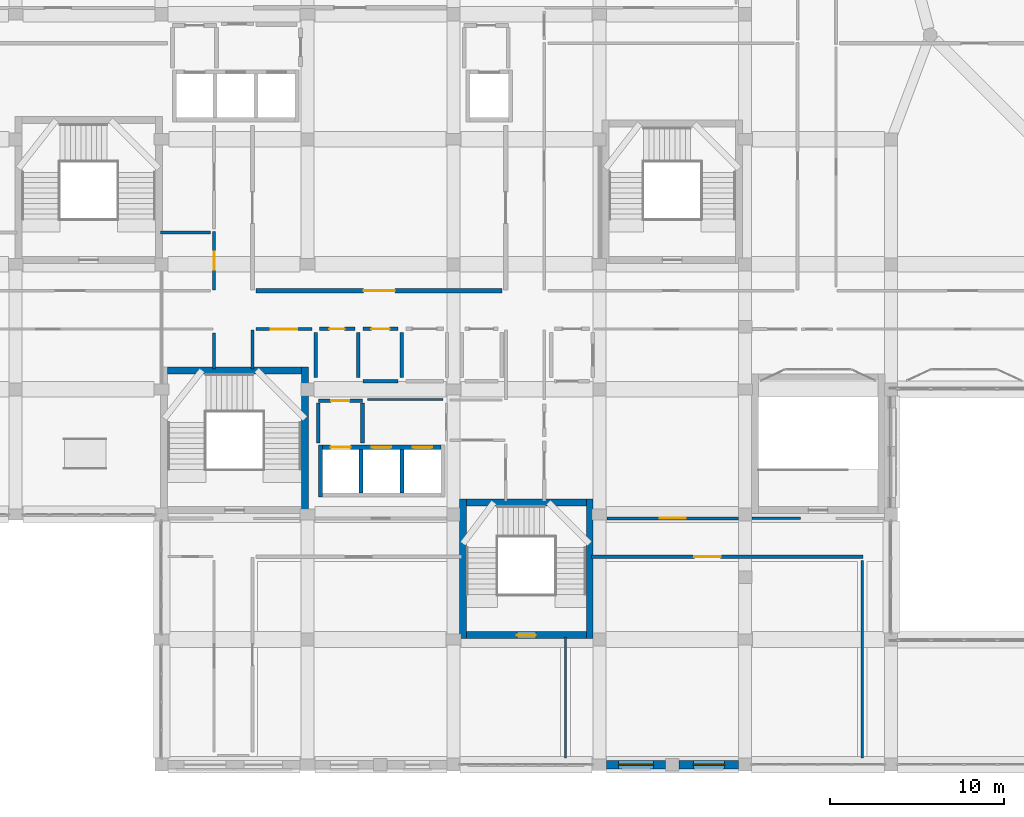
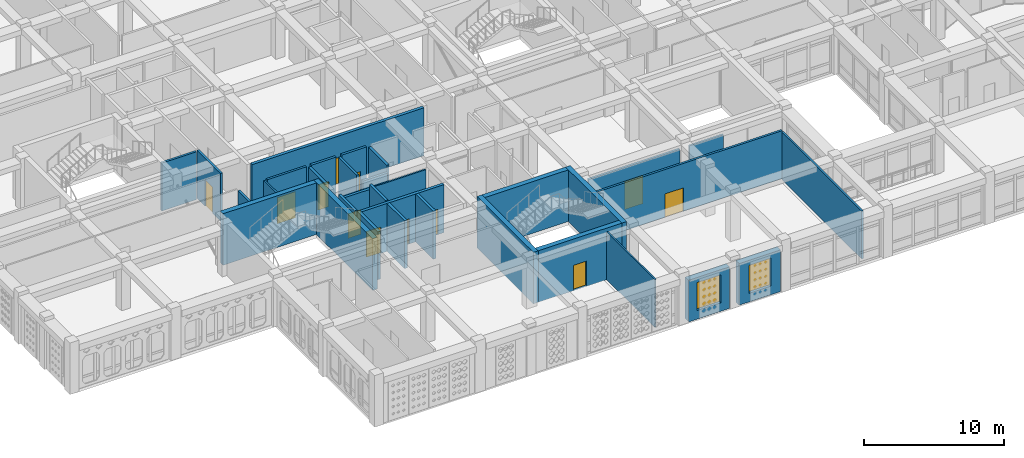
# One storey, part 72 of 121: 33 walls, 12 doors, 2 windows, 14 openings.
"""IFC4 building model written with IfcOpenShell, lengths in metres."""

from ifc_helpers import new_model, si_unit, derived_unit, direction, frame, frame_2d, origin, place, context, subcontext, project, spatial, rectangle, extrude, material, layer, layer_set, type_object, element, fill, save


model = new_model("IFC4")

# Units and contexts
model_context = context("Model", 3, precision=1e-05, world=origin(), true_north=direction((0.0, 1.0)))
body_context = subcontext(model_context, "Body", "Model", "MODEL_VIEW")
ifc_project = project(units=[si_unit("LENGTHUNIT", "METRE"), si_unit("AREAUNIT", "SQUARE_METRE"), si_unit("VOLUMEUNIT", "CUBIC_METRE"), si_unit("PLANEANGLEUNIT", "RADIAN"), si_unit("MASSUNIT", "GRAM", prefix="KILO"), derived_unit("THERMALTRANSMITTANCEUNIT", [(si_unit("POWERUNIT", "WATT"), 1), (si_unit("LENGTHUNIT", "METRE"), -2), (si_unit("THERMODYNAMICTEMPERATUREUNIT", "KELVIN"), -1)])], contexts=[model_context])

# Site, building, storey
site_placement = place(None, origin())
site = spatial("IfcSite", under=ifc_project, at=site_placement, CompositionType="ELEMENT")
building_placement = place(site_placement, origin())
building = spatial("IfcBuilding", under=site, at=building_placement, Name="Veybourne Emporium", CompositionType="ELEMENT")
storey_placement = place(building_placement, frame((0.0, 0.0, 5.39990234375)))
storey = spatial("IfcBuildingStorey", under=building, at=storey_placement, Name="L01", CompositionType="ELEMENT", Elevation=5.39990234375)

# Wall, opening, window
ifc_material_1 = material(Name="Portland Limestone Ashlar", Category="masonry")
ifc_layer_1 = layer(ifc_material_1, 0.47998046875)
ifc_layer_set_1 = layer_set([ifc_layer_1], Name="Portland Limestone Ashlar")
wall_type_1 = type_object("IfcWallType", Name="ExtWall_EW-01", PredefinedType="SOLIDWALL", material=ifc_layer_set_1)
wall_1_placement = place(storey_placement, frame((50.02490234375, 0.0, 0.0), z_axis=(0.0, 0.0, 1.0), x_axis=(-1.0, 0.0, 0.0)))
wall_1 = element("IfcWall", 1, at=wall_1_placement, inside=storey, type_object=wall_type_1, Name="L01 Portland stone external wall 026A", PredefinedType="SOLIDWALL", context=body_context, shape_type="SweptSolid", body=[
    extrude(rectangle(XDim=3.4248046875, YDim=0.47998046875, at=frame_2d((1.71240234375, 0.0))), origin(), (0.0, 0.0, 1.0), 3.630126953125),
])
opening_1_placement = place(wall_1_placement, frame((0.8125, 0.0, 0.75)))
opening_1 = element("IfcOpeningElement", 2, at=opening_1_placement, cuts=wall_1, Name="Opening W-28", PredefinedType="OPENING", context=body_context, shape_type="SweptSolid", body=[
    extrude(rectangle(XDim=1.800048828125, YDim=2.43994140625, at=frame_2d((0.89990234375, 1.219970703125))), frame((0.0, 0.260009765625, 0.0), z_axis=(0.0, -1.0, 0.0), x_axis=(1.0, 0.0, 0.0)), (0.0, 0.0, 1.0), 0.52001953125),
])
ifc_material_2 = material(Name="Low-E Triple Glazing", Category="glass")
window_type_1 = type_object("IfcWindowType", Name="Win_W-28", PartitioningType="DOUBLE_PANEL_VERTICAL", PredefinedType="WINDOW", material=ifc_material_2)
window_1_placement = place(opening_1_placement, origin())
window_1 = element("IfcWindow", 3, at=window_1_placement, inside=storey, type_object=window_type_1, Name="L01 tripartite bronze casement window W-28 (26A)", OverallHeight=2.43994140625, OverallWidth=1.800048828125, PartitioningType="DOUBLE_PANEL_VERTICAL", PredefinedType="WINDOW", context=body_context, shape_type="SweptSolid", body=[
    extrude(rectangle(XDim=1.800048828125, YDim=2.43994140625, at=frame_2d((0.89990234375, 1.219970703125))), frame((0.0, 0.030029296875, 0.0), z_axis=(0.0, -1.0, 0.0), x_axis=(1.0, 0.0, 0.0)), (0.0, 0.0, 1.0), 0.06005859375),
])
fill(opening_1, window_1)

wall_2_placement = place(storey_placement, frame((45.800048828125, 0.0, 0.0), z_axis=(0.0, 0.0, 1.0), x_axis=(-1.0, 0.0, 0.0)))
wall_2 = element("IfcWall", 4, at=wall_2_placement, inside=storey, type_object=wall_type_1, Name="L01 Portland stone external wall 026B", PredefinedType="SOLIDWALL", context=body_context, shape_type="SweptSolid", body=[
    extrude(rectangle(XDim=3.375, YDim=0.47998046875, at=frame_2d((1.6875, 0.0))), origin(), (0.0, 0.0, 1.0), 3.630126953125),
])
opening_2_placement = place(wall_2_placement, frame((0.6875, 0.0, 0.75)))
opening_2 = element("IfcOpeningElement", 5, at=opening_2_placement, cuts=wall_2, Name="Opening W-29", PredefinedType="OPENING", context=body_context, shape_type="SweptSolid", body=[
    extrude(rectangle(XDim=2.0, YDim=2.43994140625, at=frame_2d((1.0, 1.219970703125))), frame((0.0, 0.260009765625, 0.0), z_axis=(0.0, -1.0, 0.0), x_axis=(1.0, 0.0, 0.0)), (0.0, 0.0, 1.0), 0.52001953125),
])
window_type_2 = type_object("IfcWindowType", Name="Win_W-29", PartitioningType="TRIPLE_PANEL_VERTICAL", PredefinedType="WINDOW", material=ifc_material_2)
window_2_placement = place(opening_2_placement, origin())
window_2 = element("IfcWindow", 6, at=window_2_placement, inside=storey, type_object=window_type_2, Name="L01 tripartite bronze casement window W-29 (26B)", OverallHeight=2.43994140625, OverallWidth=2.0, PartitioningType="TRIPLE_PANEL_VERTICAL", PredefinedType="WINDOW", context=body_context, shape_type="SweptSolid", body=[
    extrude(rectangle(XDim=2.0, YDim=2.43994140625, at=frame_2d((1.0, 1.219970703125))), frame((0.0, 0.030029296875, 0.0), z_axis=(0.0, -1.0, 0.0), x_axis=(1.0, 0.0, 0.0)), (0.0, 0.0, 1.0), 0.06005859375),
])
fill(opening_2, window_2)

# Walls
ifc_material_3 = material(Name="Concrete C40/50", Category="concrete")
ifc_layer_2 = layer(ifc_material_3, 0.39990234375)
ifc_layer_set_2 = layer_set([ifc_layer_2], Name="Concrete C40/50")
wall_type_2 = type_object("IfcWallType", Name="IntWall_CW-01", PredefinedType="SHEAR", material=ifc_layer_set_2)
wall_3_placement = place(storey_placement, frame((17.14990234375, 22.699951171875, 0.0), z_axis=(0.0, 0.0, 1.0), x_axis=(1.0, 0.0, 0.0)))
element("IfcWall", 7, at=wall_3_placement, inside=storey, type_object=wall_type_2, Name="Core stair ST-01 north shear wall (L01)", PredefinedType="SHEAR", context=body_context, shape_type="SweptSolid", body=[
    extrude(rectangle(XDim=7.7001953125, YDim=0.39990234375, at=frame_2d((3.85009765625, 0.0))), origin(), (0.0, 0.0, 1.0), 4.5),
])
wall_4_placement = place(storey_placement, frame((25.050048828125, 14.449951171875, 0.0), z_axis=(0.0, 0.0, 1.0), x_axis=(0.0, 1.0, 0.0)))
element("IfcWall", 8, at=wall_4_placement, inside=storey, type_object=wall_type_2, Name="Core stair ST-01 east shear wall (L01)", PredefinedType="SHEAR", context=body_context, shape_type="SweptSolid", body=[
    extrude(rectangle(XDim=8.449951171875, YDim=0.39990234375, at=frame_2d((4.22509765625, 0.0))), origin(), (0.0, 0.0, 1.0), 4.5),
])

# Wall, opening, door
wall_5_placement = place(storey_placement, frame((41.25, 7.449951171875, 0.0), z_axis=(0.0, 0.0, 1.0), x_axis=(-1.0, 0.0, 0.0)))
wall_5 = element("IfcWall", 9, at=wall_5_placement, inside=storey, type_object=wall_type_2, Name="Core stair ST-12 south shear wall (L01)", PredefinedType="SHEAR", context=body_context, shape_type="SweptSolid", body=[
    extrude(rectangle(XDim=6.89990234375, YDim=0.39990234375, at=frame_2d((3.449951171875, 0.0))), origin(), (0.0, 0.0, 1.0), 4.5),
])
opening_3_placement = place(wall_5_placement, frame((2.89990234375, 0.0, 0.0)))
opening_3 = element("IfcOpeningElement", 10, at=opening_3_placement, cuts=wall_5, Name="Opening FD-01", PredefinedType="OPENING", context=body_context, shape_type="SweptSolid", body=[
    extrude(rectangle(XDim=1.10009765625, YDim=2.199951171875, at=frame_2d((0.550048828125, 1.10009765625))), frame((0.0, 0.219970703125, 0.0), z_axis=(0.0, -1.0, 0.0), x_axis=(1.0, 0.0, 0.0)), (0.0, 0.0, 1.0), 0.43994140625),
])
ifc_material_4 = material(Name="Patinated Architectural Bronze", Category="bronze")
door_type_1 = type_object("IfcDoorType", Name="FireDoor_FD-01", OperationType="NOTDEFINED", PredefinedType="DOOR", material=ifc_material_4)
door_1_placement = place(opening_3_placement, origin())
door_1 = element("IfcDoor", 11, at=door_1_placement, inside=storey, type_object=door_type_1, Name="Stair ST-12 fire door (L01)", OperationType="SINGLE_SWING_RIGHT", OverallHeight=2.199951171875, OverallWidth=1.10009765625, PredefinedType="DOOR", context=body_context, shape_type="SweptSolid", body=[
    extrude(rectangle(XDim=1.10009765625, YDim=2.199951171875, at=frame_2d((0.550048828125, 1.10009765625))), frame((0.0, 0.02490234375, 0.0), z_axis=(0.0, -1.0, 0.0), x_axis=(1.0, 0.0, 0.0)), (0.0, 0.0, 1.0), 0.050048828125),
])
fill(opening_3, door_1)

# Walls
wall_6_placement = place(storey_placement, frame((34.35009765625, 15.10009765625, 0.0), z_axis=(0.0, 0.0, 1.0), x_axis=(1.0, 0.0, 0.0)))
element("IfcWall", 12, at=wall_6_placement, inside=storey, type_object=wall_type_2, Name="Core stair ST-12 north shear wall (L01)", PredefinedType="SHEAR", context=body_context, shape_type="SweptSolid", body=[
    extrude(rectangle(XDim=6.89990234375, YDim=0.39990234375, at=frame_2d((3.449951171875, 0.0))), origin(), (0.0, 0.0, 1.0), 4.5),
])
for number, where, z_axis, x_axis, name in (
    (13, (34.14990234375, 15.300048828125, 0.0), (0.0, 0.0, 1.0), (0.0, -1.0, 0.0), "Core stair ST-12 west shear wall (L01)"),
    (14, (41.449951171875, 7.25, 0.0), (0.0, 0.0, 1.0), (0.0, 1.0, 0.0), "Core stair ST-12 east shear wall (L01)"),
):
    element("IfcWall", number, at=place(storey_placement, frame(where, z_axis=z_axis, x_axis=x_axis)), inside=storey, type_object=wall_type_2, Name=name, PredefinedType="SHEAR", context=body_context, shape_type="SweptSolid", body=[
        extrude(rectangle(XDim=8.050048828125, YDim=0.39990234375, at=frame_2d((4.02490234375, 0.0))), origin(), (0.0, 0.0, 1.0), 4.5),
    ])

# Wall, openings, doors
ifc_layer_3 = layer(ifc_material_3, 0.239990234375)
ifc_layer_set_3 = layer_set([ifc_layer_3], Name="Concrete C40/50")
wall_type_3 = type_object("IfcWallType", Name="IntWall_CW-04", PredefinedType="SHEAR", material=ifc_layer_set_3)
wall_7_placement = place(storey_placement, frame((32.8798828125, 18.27001953125, 0.0), z_axis=(0.0, 0.0, 1.0), x_axis=(-1.0, 0.0, 0.0)))
wall_7 = element("IfcWall", 15, at=wall_7_placement, inside=storey, type_object=wall_type_3, Name="Lift core C1 north shaft wall (L01)", PredefinedType="SHEAR", context=body_context, shape_type="SweptSolid", body=[
    extrude(rectangle(XDim=6.81982421875, YDim=0.239990234375, at=frame_2d((3.409912109375, 0.0))), origin(), (0.0, 0.0, 1.0), 4.18017578125),
])
opening_4_placement = place(wall_7_placement, frame((5.195068359375, 0.0, 0.0)))
opening_4 = element("IfcOpeningElement", 16, at=opening_4_placement, cuts=wall_7, Name="Opening LD-02", PredefinedType="OPENING", context=body_context, shape_type="SweptSolid", body=[
    extrude(rectangle(XDim=1.14990234375, YDim=2.25, at=frame_2d((0.574951171875, 1.125))), frame((0.0, 0.14013671875, 0.0), z_axis=(0.0, -1.0, 0.0), x_axis=(1.0, 0.0, 0.0)), (0.0, 0.0, 1.0), 0.280029296875),
])
opening_5_placement = place(wall_7_placement, frame((2.8701171875, 0.0, 0.0)))
opening_5 = element("IfcOpeningElement", 17, at=opening_5_placement, cuts=wall_7, Name="Opening LD-01", PredefinedType="OPENING", context=body_context, shape_type="SweptSolid", body=[
    extrude(rectangle(XDim=1.10009765625, YDim=2.199951171875, at=frame_2d((0.550048828125, 1.10009765625))), frame((0.0, 0.14013671875, 0.0), z_axis=(0.0, -1.0, 0.0), x_axis=(1.0, 0.0, 0.0)), (0.0, 0.0, 1.0), 0.280029296875),
])
opening_6_placement = place(wall_7_placement, frame((0.510009765625, 0.0, 0.0)))
opening_6 = element("IfcOpeningElement", 18, at=opening_6_placement, cuts=wall_7, Name="Opening LD-01", PredefinedType="OPENING", context=body_context, shape_type="SweptSolid", body=[
    extrude(rectangle(XDim=1.10009765625, YDim=2.199951171875, at=frame_2d((0.550048828125, 1.10009765625))), frame((0.0, 0.14013671875, 0.0), z_axis=(0.0, -1.0, 0.0), x_axis=(1.0, 0.0, 0.0)), (0.0, 0.0, 1.0), 0.280029296875),
])
door_type_2 = type_object("IfcDoorType", Name="FireDoor_LD-01", OperationType="DOUBLE_DOOR_SLIDING", PredefinedType="DOOR", material=ifc_material_4)
door_2_placement = place(opening_5_placement, origin())
door_2 = element("IfcDoor", 19, at=door_2_placement, inside=storey, type_object=door_type_2, Name="Lift PL-01 sliding landing door (L01)", OperationType="DOUBLE_DOOR_SLIDING", OverallHeight=2.199951171875, OverallWidth=1.10009765625, PredefinedType="DOOR", context=body_context, shape_type="SweptSolid", body=[
    extrude(rectangle(XDim=1.10009765625, YDim=2.199951171875, at=frame_2d((0.550048828125, 1.10009765625))), frame((0.0, 0.02490234375, 0.0), z_axis=(0.0, -1.0, 0.0), x_axis=(1.0, 0.0, 0.0)), (0.0, 0.0, 1.0), 0.050048828125),
])
fill(opening_5, door_2)
door_3_placement = place(opening_6_placement, origin())
door_3 = element("IfcDoor", 20, at=door_3_placement, inside=storey, type_object=door_type_2, Name="Lift PL-02 sliding landing door (L01)", OperationType="DOUBLE_DOOR_SLIDING", OverallHeight=2.199951171875, OverallWidth=1.10009765625, PredefinedType="DOOR", context=body_context, shape_type="SweptSolid", body=[
    extrude(rectangle(XDim=1.10009765625, YDim=2.199951171875, at=frame_2d((0.550048828125, 1.10009765625))), frame((0.0, 0.02490234375, 0.0), z_axis=(0.0, -1.0, 0.0), x_axis=(1.0, 0.0, 0.0)), (0.0, 0.0, 1.0), 0.050048828125),
])
fill(opening_6, door_3)
door_type_3 = type_object("IfcDoorType", Name="FireDoor_LD-02", OperationType="SLIDING_TO_LEFT", PredefinedType="DOOR", material=ifc_material_4)
door_4_placement = place(opening_4_placement, origin())
door_4 = element("IfcDoor", 21, at=door_4_placement, inside=storey, type_object=door_type_3, Name="Lift FFL-01 sliding landing door (L01)", OperationType="SLIDING_TO_LEFT", OverallHeight=2.25, OverallWidth=1.14990234375, PredefinedType="DOOR", context=body_context, shape_type="SweptSolid", body=[
    extrude(rectangle(XDim=1.14990234375, YDim=2.25, at=frame_2d((0.574951171875, 1.125))), frame((0.0, 0.02490234375, 0.0), z_axis=(0.0, -1.0, 0.0), x_axis=(1.0, 0.0, 0.0)), (0.0, 0.0, 1.0), 0.050048828125),
])
fill(opening_4, door_4)

# Walls
wall_8_placement = place(storey_placement, frame((25.93994140625, 18.389892578125, 0.0), z_axis=(0.0, 0.0, 1.0), x_axis=(0.0, -1.0, 0.0)))
element("IfcWall", 22, at=wall_8_placement, inside=storey, type_object=wall_type_3, Name="Lift core C1 west shaft wall (L01)", PredefinedType="SHEAR", context=body_context, shape_type="SweptSolid", body=[
    extrude(rectangle(XDim=2.97998046875, YDim=0.239990234375, at=frame_2d((1.489990234375, 0.0))), origin(), (0.0, 0.0, 1.0), 4.18017578125),
])
for number, where, z_axis, x_axis, name in (
    (23, (28.280029296875, 15.64990234375, 0.0), (0.0, 0.0, 1.0), (0.0, 1.0, 0.0), "Lift core C1 divider wall 1 (L01)"),
    (24, (30.639892578125, 15.64990234375, 0.0), (0.0, 0.0, 1.0), (0.0, 1.0, 0.0), "Lift core C1 divider wall 2 (L01)"),
):
    element("IfcWall", number, at=place(storey_placement, frame(where, z_axis=z_axis, x_axis=x_axis)), inside=storey, type_object=wall_type_3, Name=name, PredefinedType="SHEAR", context=body_context, shape_type="SweptSolid", body=[
        extrude(rectangle(XDim=2.5, YDim=0.239990234375, at=frame_2d((1.25, 0.0))), origin(), (0.0, 0.0, 1.0), 4.18017578125),
    ])

# Wall, opening, door
ifc_material_5 = material(Name="Concrete C32/40", Category="concrete")
ifc_layer_4 = layer(ifc_material_5, 0.25)
ifc_layer_set_4 = layer_set([ifc_layer_4], Name="Concrete C32/40")
wall_type_4 = type_object("IfcWallType", Name="IntWall_FW-01", PredefinedType="SOLIDWALL", material=ifc_layer_set_4)
wall_9_placement = place(storey_placement, frame((22.239990234375, 27.280029296875, 0.0), z_axis=(0.0, 0.0, 1.0), x_axis=(1.0, 0.0, 0.0)))
wall_9 = element("IfcWall", 25, at=wall_9_placement, inside=storey, type_object=wall_type_4, Name="L01 interior partition FW-01 #031", PredefinedType="SOLIDWALL", context=body_context, shape_type="SweptSolid", body=[
    extrude(rectangle(XDim=14.169921875, YDim=0.25, at=frame_2d((7.0849609375, 0.0))), origin(), (0.0, 0.0, 1.0), 4.18017578125),
])
opening_7_placement = place(wall_9_placement, frame((6.18505859375, 0.0, 0.0)))
opening_7 = element("IfcOpeningElement", 26, at=opening_7_placement, cuts=wall_9, Name="Opening FD-03", PredefinedType="OPENING", context=body_context, shape_type="SweptSolid", body=[
    extrude(rectangle(XDim=1.800048828125, YDim=2.300048828125, at=frame_2d((0.89990234375, 1.14990234375))), frame((0.0, 0.14501953125, 0.0), z_axis=(0.0, -1.0, 0.0), x_axis=(1.0, 0.0, 0.0)), (0.0, 0.0, 1.0), 0.2900390625),
])
door_type_4 = type_object("IfcDoorType", Name="FireDoor_FD-03", OperationType="DOUBLE_DOOR_SINGLE_SWING", PredefinedType="DOOR", material=ifc_material_4)
door_5_placement = place(opening_7_placement, origin())
door_5 = element("IfcDoor", 27, at=door_5_placement, inside=storey, type_object=door_type_4, Name="L01 interior door FD-03 (PART-L01-031)", OperationType="DOUBLE_DOOR_SINGLE_SWING", OverallHeight=2.300048828125, OverallWidth=1.800048828125, PredefinedType="DOOR", context=body_context, shape_type="SweptSolid", body=[
    extrude(rectangle(XDim=1.800048828125, YDim=2.300048828125, at=frame_2d((0.89990234375, 1.14990234375))), frame((0.0, 0.02490234375, 0.0), z_axis=(0.0, -1.0, 0.0), x_axis=(1.0, 0.0, 0.0)), (0.0, 0.0, 1.0), 0.050048828125),
])
fill(opening_7, door_5)

ifc_layer_5 = layer(ifc_material_5, 0.219970703125)
ifc_layer_set_5 = layer_set([ifc_layer_5], Name="Concrete C32/40")
wall_type_5 = type_object("IfcWallType", Name="IntWall_FW-02", PredefinedType="SOLIDWALL", material=ifc_layer_set_5)
wall_10_placement = place(storey_placement, frame((25.820068359375, 20.949951171875, 0.0), z_axis=(0.0, 0.0, 1.0), x_axis=(1.0, 0.0, 0.0)))
wall_10 = element("IfcWall", 28, at=wall_10_placement, inside=storey, type_object=wall_type_5, Name="Firefighting lobby C1 fire wall N (L01)", PredefinedType="SOLIDWALL", context=body_context, shape_type="SweptSolid", body=[
    extrude(rectangle(XDim=2.5400390625, YDim=0.219970703125, at=frame_2d((1.27001953125, 0.0))), origin(), (0.0, 0.0, 1.0), 3.72998046875),
])
opening_8_placement = place(wall_10_placement, frame((0.7451171875, 0.0, 0.0)))
opening_8 = element("IfcOpeningElement", 29, at=opening_8_placement, cuts=wall_10, Name="Opening FD-02", PredefinedType="OPENING", context=body_context, shape_type="SweptSolid", body=[
    extrude(rectangle(XDim=1.050048828125, YDim=2.14990234375, at=frame_2d((0.52490234375, 1.074951171875))), frame((0.0, 0.1298828125, 0.0), z_axis=(0.0, -1.0, 0.0), x_axis=(1.0, 0.0, 0.0)), (0.0, 0.0, 1.0), 0.260009765625),
])
door_type_5 = type_object("IfcDoorType", Name="FireDoor_FD-02", OperationType="NOTDEFINED", PredefinedType="DOOR", material=ifc_material_4)
door_6_placement = place(opening_8_placement, origin())
door_6 = element("IfcDoor", 30, at=door_6_placement, inside=storey, type_object=door_type_5, Name="Firefighting lobby C1 FD60S door N (L01)", OperationType="SINGLE_SWING_RIGHT", OverallHeight=2.14990234375, OverallWidth=1.050048828125, PredefinedType="DOOR", context=body_context, shape_type="SweptSolid", body=[
    extrude(rectangle(XDim=1.050048828125, YDim=2.14990234375, at=frame_2d((0.52490234375, 1.074951171875))), frame((0.0, 0.02490234375, 0.0), z_axis=(0.0, -1.0, 0.0), x_axis=(1.0, 0.0, 0.0)), (0.0, 0.0, 1.0), 0.050048828125),
])
fill(opening_8, door_6)

# Walls
for number, where, z_axis, x_axis, name in (
    (31, (25.820068359375, 18.510009765625, 0.0), (0.0, 0.0, 1.0), (0.0, 1.0, 0.0), "Firefighting lobby C1 fire wall W (L01)"),
    (32, (28.360107421875, 18.510009765625, 0.0), (0.0, 0.0, 1.0), (0.0, 1.0, 0.0), "Firefighting lobby C1 fire wall E (L01)"),
):
    element("IfcWall", number, at=place(storey_placement, frame(where, z_axis=z_axis, x_axis=x_axis)), inside=storey, type_object=wall_type_5, Name=name, PredefinedType="SOLIDWALL", context=body_context, shape_type="SweptSolid", body=[
        extrude(rectangle(XDim=2.320068359375, YDim=0.219970703125, at=frame_2d((1.16015625, 0.0))), origin(), (0.0, 0.0, 1.0), 4.18017578125),
    ])

# Wall, opening, door
ifc_material_6 = material(Name="Gypsum Acoustic Board", Category="gypsum")
ifc_layer_6 = layer(ifc_material_6, 0.179931640625)
ifc_layer_set_6 = layer_set([ifc_layer_6], Name="Gypsum Acoustic Board")
wall_type_6 = type_object("IfcWallType", Name="IntWall_IW-01", PredefinedType="PARTITIONING", material=ifc_layer_set_6)
wall_11_placement = place(storey_placement, frame((42.445068359375, 14.179931640625, 0.0), z_axis=(0.0, 0.0, 1.0), x_axis=(1.0, 0.0, 0.0)))
wall_11 = element("IfcWall", 33, at=wall_11_placement, inside=storey, type_object=wall_type_6, Name="L01 interior partition IW-01 #010", PredefinedType="PARTITIONING", context=body_context, shape_type="SweptSolid", body=[
    extrude(rectangle(XDim=7.559814453125, YDim=0.179931640625, at=frame_2d((3.77978515625, 0.0))), origin(), (0.0, 0.0, 1.0), 3.72998046875),
])
opening_9_placement = place(wall_11_placement, frame((3.02001953125, 0.0, 0.0)))
opening_9 = element("IfcOpeningElement", 34, at=opening_9_placement, cuts=wall_11, Name="Opening D-35", PredefinedType="OPENING", context=body_context, shape_type="SweptSolid", body=[
    extrude(rectangle(XDim=1.52001953125, YDim=2.449951171875, at=frame_2d((0.760009765625, 1.22509765625))), frame((0.0, 0.10986328125, 0.0), z_axis=(0.0, -1.0, 0.0), x_axis=(1.0, 0.0, 0.0)), (0.0, 0.0, 1.0), 0.219970703125),
])
ifc_material_7 = material(Name="European Oak Veneer and Bronze", Category="wood")
door_type_6 = type_object("IfcDoorType", Name="IntDoor_D-35", OperationType="NOTDEFINED", PredefinedType="DOOR", material=ifc_material_7)
door_7_placement = place(opening_9_placement, origin())
door_7 = element("IfcDoor", 35, at=door_7_placement, inside=storey, type_object=door_type_6, Name="L01 interior door D-35 (PART-L01-010)", OperationType="SINGLE_SWING_RIGHT", OverallHeight=2.449951171875, OverallWidth=1.52001953125, PredefinedType="DOOR", context=body_context, shape_type="SweptSolid", body=[
    extrude(rectangle(XDim=1.52001953125, YDim=2.449951171875, at=frame_2d((0.760009765625, 1.22509765625))), frame((0.0, 0.02490234375, 0.0), z_axis=(0.0, -1.0, 0.0), x_axis=(1.0, 0.0, 0.0)), (0.0, 0.0, 1.0), 0.050048828125),
])
fill(opening_9, door_7)

wall_12_placement = place(storey_placement, frame((41.5400390625, 11.969970703125, 0.0), z_axis=(0.0, 0.0, 1.0), x_axis=(1.0, 0.0, 0.0)))
wall_12 = element("IfcWall", 36, at=wall_12_placement, inside=storey, type_object=wall_type_6, Name="L01 interior partition IW-01 #016", PredefinedType="PARTITIONING", context=body_context, shape_type="SweptSolid", body=[
    extrude(rectangle(XDim=15.639892578125, YDim=0.179931640625, at=frame_2d((7.81982421875, 0.0))), origin(), (0.0, 0.0, 1.0), 4.18017578125),
])
opening_10_placement = place(wall_12_placement, frame((5.930419921875, 0.0, 0.0)))
opening_10 = element("IfcOpeningElement", 37, at=opening_10_placement, cuts=wall_12, Name="Opening D-05", PredefinedType="OPENING", context=body_context, shape_type="SweptSolid", body=[
    extrude(rectangle(XDim=1.52001953125, YDim=2.050048828125, at=frame_2d((0.760009765625, 1.02490234375))), frame((0.0, 0.10986328125, 0.0), z_axis=(0.0, -1.0, 0.0), x_axis=(1.0, 0.0, 0.0)), (0.0, 0.0, 1.0), 0.219970703125),
])
door_type_7 = type_object("IfcDoorType", Name="IntDoor_D-05", OperationType="NOTDEFINED", PredefinedType="DOOR", material=ifc_material_7)
door_8_placement = place(opening_10_placement, origin())
door_8 = element("IfcDoor", 38, at=door_8_placement, inside=storey, type_object=door_type_7, Name="L01 interior door D-05 (PART-L01-016)", OperationType="SINGLE_SWING_RIGHT", OverallHeight=2.050048828125, OverallWidth=1.52001953125, PredefinedType="DOOR", context=body_context, shape_type="SweptSolid", body=[
    extrude(rectangle(XDim=1.52001953125, YDim=2.050048828125, at=frame_2d((0.760009765625, 1.02490234375))), frame((0.0, 0.02490234375, 0.0), z_axis=(0.0, -1.0, 0.0), x_axis=(1.0, 0.0, 0.0)), (0.0, 0.0, 1.0), 0.050048828125),
])
fill(opening_10, door_8)

wall_13_placement = place(storey_placement, frame((19.820068359375, 27.330078125, 0.0), z_axis=(0.0, 0.0, 1.0), x_axis=(0.0, 1.0, 0.0)))
wall_13 = element("IfcWall", 39, at=wall_13_placement, inside=storey, type_object=wall_type_6, Name="L01 interior partition IW-01 #103", PredefinedType="PARTITIONING", context=body_context, shape_type="SweptSolid", body=[
    extrude(rectangle(XDim=3.349853515625, YDim=0.179931640625, at=frame_2d((1.6748046875, 0.0))), origin(), (0.0, 0.0, 1.0), 4.18017578125),
])
opening_11_placement = place(wall_13_placement, frame((1.155029296875, 0.0, 0.0)))
opening_11 = element("IfcOpeningElement", 40, at=opening_11_placement, cuts=wall_13, Name="Opening D-20", PredefinedType="OPENING", context=body_context, shape_type="SweptSolid", body=[
    extrude(rectangle(XDim=1.0400390625, YDim=2.2900390625, at=frame_2d((0.52001953125, 1.14501953125))), frame((0.0, 0.10986328125, 0.0), z_axis=(0.0, -1.0, 0.0), x_axis=(1.0, 0.0, 0.0)), (0.0, 0.0, 1.0), 0.219970703125),
])
door_type_8 = type_object("IfcDoorType", Name="IntDoor_D-20", OperationType="NOTDEFINED", PredefinedType="DOOR", material=ifc_material_7)
door_9_placement = place(opening_11_placement, origin())
door_9 = element("IfcDoor", 41, at=door_9_placement, inside=storey, type_object=door_type_8, Name="L01 interior door D-20 (PART-L01-103)", OperationType="SINGLE_SWING_RIGHT", OverallHeight=2.2900390625, OverallWidth=1.0400390625, PredefinedType="DOOR", context=body_context, shape_type="SweptSolid", body=[
    extrude(rectangle(XDim=1.0400390625, YDim=2.2900390625, at=frame_2d((0.52001953125, 1.14501953125))), frame((0.0, 0.02490234375, 0.0), z_axis=(0.0, -1.0, 0.0), x_axis=(1.0, 0.0, 0.0)), (0.0, 0.0, 1.0), 0.050048828125),
])
fill(opening_11, door_9)

wall_14_placement = place(storey_placement, frame((22.239990234375, 25.070068359375, 0.0), z_axis=(0.0, 0.0, 1.0), x_axis=(1.0, 0.0, 0.0)))
wall_14 = element("IfcWall", 42, at=wall_14_placement, inside=storey, type_object=wall_type_6, Name="L01 interior partition IW-01 #106", PredefinedType="PARTITIONING", context=body_context, shape_type="SweptSolid", body=[
    extrude(rectangle(XDim=3.219970703125, YDim=0.179931640625, at=frame_2d((1.60986328125, 0.0))), origin(), (0.0, 0.0, 1.0), 4.18017578125),
])
opening_12_placement = place(wall_14_placement, frame((0.85009765625, 0.0, 0.0)))
opening_12 = element("IfcOpeningElement", 43, at=opening_12_placement, cuts=wall_14, Name="Opening D-23", PredefinedType="OPENING", context=body_context, shape_type="SweptSolid", body=[
    extrude(rectangle(XDim=1.52001953125, YDim=2.2900390625, at=frame_2d((0.760009765625, 1.14501953125))), frame((0.0, 0.10986328125, 0.0), z_axis=(0.0, -1.0, 0.0), x_axis=(1.0, 0.0, 0.0)), (0.0, 0.0, 1.0), 0.219970703125),
])
door_type_9 = type_object("IfcDoorType", Name="IntDoor_D-23", OperationType="NOTDEFINED", PredefinedType="DOOR", material=ifc_material_7)
door_10_placement = place(opening_12_placement, origin())
door_10 = element("IfcDoor", 44, at=door_10_placement, inside=storey, type_object=door_type_9, Name="L01 interior door D-23 (PART-L01-106)", OperationType="SINGLE_SWING_LEFT", OverallHeight=2.2900390625, OverallWidth=1.52001953125, PredefinedType="DOOR", context=body_context, shape_type="SweptSolid", body=[
    extrude(rectangle(XDim=1.52001953125, YDim=2.2900390625, at=frame_2d((0.760009765625, 1.14501953125))), frame((0.0, 0.02490234375, 0.0), z_axis=(0.0, -1.0, 0.0), x_axis=(1.0, 0.0, 0.0)), (0.0, 0.0, 1.0), 0.050048828125),
])
fill(opening_12, door_10)

# Walls
wall_15_placement = place(storey_placement, frame((19.820068359375, 22.7900390625, 0.0), z_axis=(0.0, 0.0, 1.0), x_axis=(0.0, 1.0, 0.0)))
element("IfcWall", 45, at=wall_15_placement, inside=storey, type_object=wall_type_6, Name="L01 interior partition IW-01 #130", PredefinedType="PARTITIONING", context=body_context, shape_type="SweptSolid", body=[
    extrude(rectangle(XDim=2.070068359375, YDim=0.179931640625, at=frame_2d((1.03515625, 0.0))), origin(), (0.0, 0.0, 1.0), 4.18017578125),
])
wall_16_placement = place(storey_placement, frame((16.739990234375, 30.6298828125, 0.0), z_axis=(0.0, 0.0, 1.0), x_axis=(1.0, 0.0, 0.0)))
element("IfcWall", 46, at=wall_16_placement, inside=storey, type_object=wall_type_6, Name="L01 interior partition IW-01 #196", PredefinedType="PARTITIONING", context=body_context, shape_type="SweptSolid", body=[
    extrude(rectangle(XDim=2.8701171875, YDim=0.179931640625, at=frame_2d((1.43505859375, 0.0))), origin(), (0.0, 0.0, 1.0), 4.18017578125),
])
ifc_layer_7 = layer(ifc_material_6, 0.14990234375)
ifc_layer_set_7 = layer_set([ifc_layer_7], Name="Gypsum Acoustic Board")
wall_type_7 = type_object("IfcWallType", Name="IntWall_IW-02", PredefinedType="PARTITIONING", material=ifc_layer_set_7)
wall_17_placement = place(storey_placement, frame((50.794921875, 14.179931640625, 0.0), z_axis=(0.0, 0.0, 1.0), x_axis=(1.0, 0.0, 0.0)))
element("IfcWall", 47, at=wall_17_placement, inside=storey, type_object=wall_type_7, Name="L01 interior partition IW-02 #011", PredefinedType="PARTITIONING", context=body_context, shape_type="SweptSolid", body=[
    extrude(rectangle(XDim=2.789794921875, YDim=0.14990234375, at=frame_2d((1.39501953125, 0.0))), origin(), (0.0, 0.0, 1.0), 3.72998046875),
])
wall_18_placement = place(storey_placement, frame((22.030029296875, 22.7900390625, 0.0), z_axis=(0.0, 0.0, 1.0), x_axis=(0.0, 1.0, 0.0)))
element("IfcWall", 48, at=wall_18_placement, inside=storey, type_object=wall_type_7, Name="L01 interior partition IW-02 #125", PredefinedType="PARTITIONING", context=body_context, shape_type="SweptSolid", body=[
    extrude(rectangle(XDim=2.22998046875, YDim=0.14990234375, at=frame_2d((1.114990234375, 0.0))), origin(), (0.0, 0.0, 1.0), 4.18017578125),
])
wall_19_placement = place(storey_placement, frame((57.1298828125, 0.3701171875, 0.0), z_axis=(0.0, 0.0, 1.0), x_axis=(0.0, 1.0, 0.0)))
element("IfcWall", 49, at=wall_19_placement, inside=storey, type_object=wall_type_7, Name="L01 interior partition IW-02 #182", PredefinedType="PARTITIONING", context=body_context, shape_type="SweptSolid", body=[
    extrude(rectangle(XDim=11.389892578125, YDim=0.14990234375, at=frame_2d((5.69482421875, 0.0))), origin(), (0.0, 0.0, 1.0), 4.18017578125),
])
ifc_layer_8 = layer(ifc_material_6, 0.1201171875)
ifc_layer_set_8 = layer_set([ifc_layer_8], Name="Gypsum Acoustic Board")
wall_type_8 = type_object("IfcWallType", Name="IntWall_IW-03", PredefinedType="PARTITIONING", material=ifc_layer_set_8)
wall_20_placement = place(storey_placement, frame((28.64990234375, 21.030029296875, 0.0), z_axis=(0.0, 0.0, 1.0), x_axis=(1.0, 0.0, 0.0)))
element("IfcWall", 50, at=wall_20_placement, inside=storey, type_object=wall_type_8, Name="L01 interior partition IW-03 #093", PredefinedType="PARTITIONING", context=body_context, shape_type="SweptSolid", body=[
    extrude(rectangle(XDim=4.340087890625, YDim=0.1201171875, at=frame_2d((2.169921875, 0.0))), origin(), (0.0, 0.0, 1.0), 3.72998046875),
])
wall_21_placement = place(storey_placement, frame((40.051025390625, 0.3701171875, 0.0), z_axis=(0.0, 0.0, 1.0), x_axis=(0.0, 1.0, 0.0)))
element("IfcWall", 51, at=wall_21_placement, inside=storey, type_object=wall_type_8, Name="L01 interior partition IW-03 #189", PredefinedType="PARTITIONING", context=body_context, shape_type="SweptSolid", body=[
    extrude(rectangle(XDim=6.989990234375, YDim=0.1201171875, at=frame_2d((3.4951171875, 0.0))), origin(), (0.0, 0.0, 1.0), 4.18017578125),
])

# Wall, opening, door
ifc_layer_9 = layer(ifc_material_6, 0.199951171875)
ifc_layer_set_9 = layer_set([ifc_layer_9], Name="Gypsum Acoustic Board")
wall_type_9 = type_object("IfcWallType", Name="IntWall_IW-04", PredefinedType="PLUMBINGWALL", material=ifc_layer_set_9)
wall_22_placement = place(storey_placement, frame((25.8798828125, 25.080078125, 0.0), z_axis=(0.0, 0.0, 1.0), x_axis=(1.0, 0.0, 0.0)))
wall_22 = element("IfcWall", 52, at=wall_22_placement, inside=storey, type_object=wall_type_9, Name="L01 interior partition IW-04 #132", PredefinedType="PLUMBINGWALL", context=body_context, shape_type="SweptSolid", body=[
    extrude(rectangle(XDim=2.0400390625, YDim=0.199951171875, at=frame_2d((1.02001953125, 0.0))), origin(), (0.0, 0.0, 1.0), 4.18017578125),
])
opening_13_placement = place(wall_22_placement, frame((0.580078125, 0.0, 0.0)))
opening_13 = element("IfcOpeningElement", 53, at=opening_13_placement, cuts=wall_22, Name="Opening D-13", PredefinedType="OPENING", context=body_context, shape_type="SweptSolid", body=[
    extrude(rectangle(XDim=0.8798828125, YDim=2.2099609375, at=frame_2d((0.43994140625, 1.10498046875))), frame((0.0, 0.1201171875, 0.0), z_axis=(0.0, -1.0, 0.0), x_axis=(1.0, 0.0, 0.0)), (0.0, 0.0, 1.0), 0.239990234375),
])
door_type_10 = type_object("IfcDoorType", Name="IntDoor_D-13", OperationType="NOTDEFINED", PredefinedType="DOOR", material=ifc_material_7)
door_11_placement = place(opening_13_placement, origin())
door_11 = element("IfcDoor", 54, at=door_11_placement, inside=storey, type_object=door_type_10, Name="L01 interior door D-13 (PART-L01-132)", OperationType="SINGLE_SWING_LEFT", OverallHeight=2.2099609375, OverallWidth=0.8798828125, PredefinedType="DOOR", context=body_context, shape_type="SweptSolid", body=[
    extrude(rectangle(XDim=0.8798828125, YDim=2.2099609375, at=frame_2d((0.43994140625, 1.10498046875))), frame((0.0, 0.02490234375, 0.0), z_axis=(0.0, -1.0, 0.0), x_axis=(1.0, 0.0, 0.0)), (0.0, 0.0, 1.0), 0.050048828125),
])
fill(opening_13, door_11)

wall_23_placement = place(storey_placement, frame((28.3798828125, 25.080078125, 0.0), z_axis=(0.0, 0.0, 1.0), x_axis=(1.0, 0.0, 0.0)))
wall_23 = element("IfcWall", 55, at=wall_23_placement, inside=storey, type_object=wall_type_9, Name="L01 interior partition IW-04 #133", PredefinedType="PLUMBINGWALL", context=body_context, shape_type="SweptSolid", body=[
    extrude(rectangle(XDim=2.0400390625, YDim=0.199951171875, at=frame_2d((1.02001953125, 0.0))), origin(), (0.0, 0.0, 1.0), 4.18017578125),
])
opening_14_placement = place(wall_23_placement, frame((0.5, 0.0, 0.0)))
opening_14 = element("IfcOpeningElement", 56, at=opening_14_placement, cuts=wall_23, Name="Opening D-14", PredefinedType="OPENING", context=body_context, shape_type="SweptSolid", body=[
    extrude(rectangle(XDim=1.0400390625, YDim=2.2099609375, at=frame_2d((0.52001953125, 1.10498046875))), frame((0.0, 0.1201171875, 0.0), z_axis=(0.0, -1.0, 0.0), x_axis=(1.0, 0.0, 0.0)), (0.0, 0.0, 1.0), 0.239990234375),
])
door_type_11 = type_object("IfcDoorType", Name="IntDoor_D-14", OperationType="NOTDEFINED", PredefinedType="DOOR", material=ifc_material_7)
door_12_placement = place(opening_14_placement, origin())
door_12 = element("IfcDoor", 57, at=door_12_placement, inside=storey, type_object=door_type_11, Name="L01 interior door D-14 (PART-L01-133)", OperationType="SINGLE_SWING_RIGHT", OverallHeight=2.2099609375, OverallWidth=1.0400390625, PredefinedType="DOOR", context=body_context, shape_type="SweptSolid", body=[
    extrude(rectangle(XDim=1.0400390625, YDim=2.2099609375, at=frame_2d((0.52001953125, 1.10498046875))), frame((0.0, 0.02490234375, 0.0), z_axis=(0.0, -1.0, 0.0), x_axis=(1.0, 0.0, 0.0)), (0.0, 0.0, 1.0), 0.050048828125),
])
fill(opening_14, door_12)

# Walls
for number, where, z_axis, x_axis, name in (
    (58, (28.1298828125, 22.280029296875, 0.0), (0.0, 0.0, 1.0), (0.0, 1.0, 0.0), "L01 interior partition IW-04 #198"),
    (59, (25.669921875, 22.280029296875, 0.0), (0.0, 0.0, 1.0), (0.0, 1.0, 0.0), "L01 interior partition IW-04 #199"),
    (60, (30.6298828125, 22.280029296875, 0.0), (0.0, 0.0, 1.0), (0.0, 1.0, 0.0), "L01 interior partition IW-04 #200"),
):
    element("IfcWall", number, at=place(storey_placement, frame(where, z_axis=z_axis, x_axis=x_axis)), inside=storey, type_object=wall_type_9, Name=name, PredefinedType="PLUMBINGWALL", context=body_context, shape_type="SweptSolid", body=[
        extrude(rectangle(XDim=2.590087890625, YDim=0.199951171875, at=frame_2d((1.294921875, 0.0))), origin(), (0.0, 0.0, 1.0), 4.18017578125),
    ])
wall_24_placement = place(storey_placement, frame((28.3798828125, 22.070068359375, 0.0), z_axis=(0.0, 0.0, 1.0), x_axis=(1.0, 0.0, 0.0)))
element("IfcWall", 61, at=wall_24_placement, inside=storey, type_object=wall_type_9, Name="L01 interior partition IW-04 #205", PredefinedType="PLUMBINGWALL", context=body_context, shape_type="SweptSolid", body=[
    extrude(rectangle(XDim=2.0400390625, YDim=0.199951171875, at=frame_2d((1.02001953125, 0.0))), origin(), (0.0, 0.0, 1.0), 3.72998046875),
])

save(model, "model.ifc")
